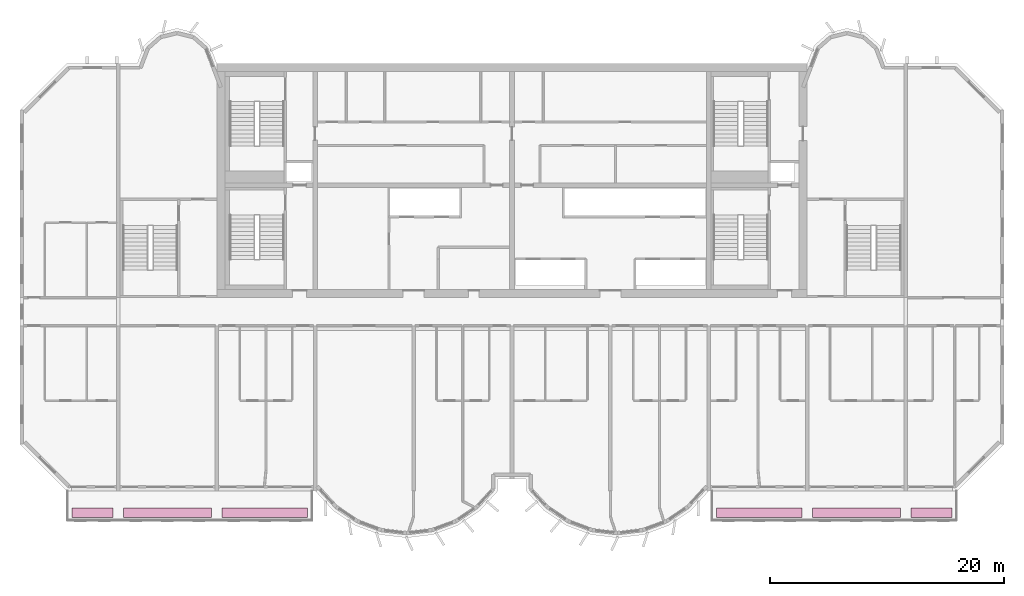
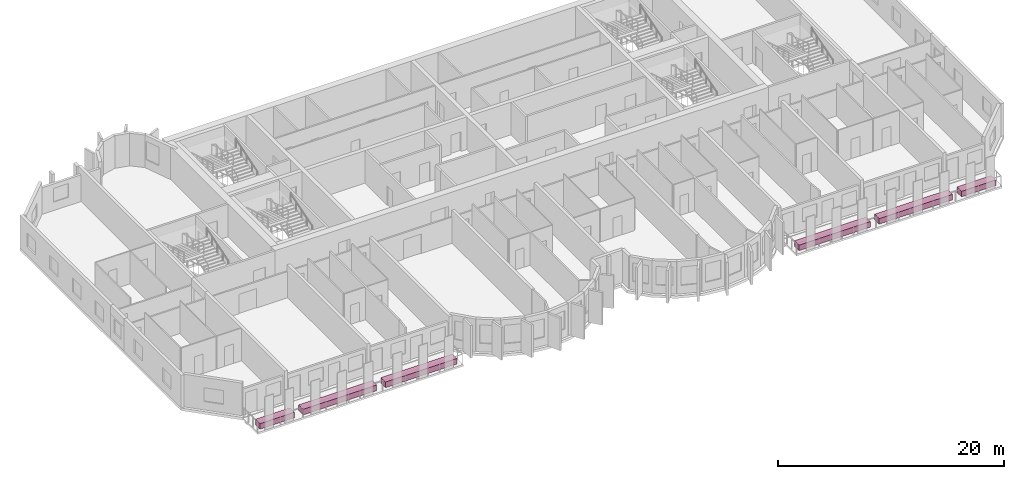
# One storey, part 13 of 13: 6 furniture elements.
"""IFC4 building model written with IfcOpenShell, lengths in metres."""

from ifc_helpers import new_model, si_unit, direction, frame, origin, origin_2d, place, context, subcontext, project, spatial, rectangle, extrude, source, transform, mapped, material, type_object, element, save


model = new_model("IFC4")

# Units and contexts
model_context = context("Model", 3, precision=1e-05, world=origin(), true_north=direction((0.0, 1.0)))
body_context = subcontext(model_context, "Body", "Model", "MODEL_VIEW")
ifc_project = project(units=[si_unit("LENGTHUNIT", "METRE"), si_unit("AREAUNIT", "SQUARE_METRE"), si_unit("VOLUMEUNIT", "CUBIC_METRE"), si_unit("PLANEANGLEUNIT", "RADIAN"), si_unit("MASSUNIT", "GRAM", prefix="KILO")], contexts=[model_context])

# Site, building, storey
site_placement = place(None, origin())
site = spatial("IfcSite", under=ifc_project, at=site_placement, CompositionType="ELEMENT")
building_placement = place(site_placement, origin())
building = spatial("IfcBuilding", under=site, at=building_placement, Name="Vanashikhar Sky Hotel", CompositionType="ELEMENT")
storey_placement = place(building_placement, frame((0.0, 0.0, 151.60009765625)))
storey = spatial("IfcBuildingStorey", under=building, at=storey_placement, Name="L36", CompositionType="ELEMENT", Elevation=151.60009765625)

# Furniture
ifc_material = material(Name="Planting soil and shrubs")
furniture_type = type_object("IfcFurnitureType", Name="Planter trough", AssemblyPlace="NOTDEFINED", PredefinedType="USERDEFINED", material=ifc_material)
shared_shape_1 = source(origin(), body_context, "Body", "SweptSolid", [
    extrude(rectangle(XDim=3.5, YDim=0.800048828125, at=origin_2d()), origin(), (0.0, 0.0, 1.0), 0.60009765625),
])
for number, where, z_axis, x_axis, name in (
    (1, (14.60009765625, 3.64990234375, -0.050048828125), (0.0, 0.0, 1.0), (1.0, 0.0, 0.0), "PLANTER with climbers"),
    (2, (86.199951171875, 3.64990234375, -0.050048828125), (0.0, 0.0, 1.0), (1.0, 0.0, 0.0), "PLANTER with climbers"),
):
    element("IfcFurniture", number, at=place(storey_placement, frame(where, z_axis=z_axis, x_axis=x_axis)), inside=storey, type_object=furniture_type, Name=name, ObjectType="PLANTER", PredefinedType="USERDEFINED", context=body_context, shape_type="MappedRepresentation", body=[
        mapped(shared_shape_1, transform((0.0, 0.0, 0.0), scale=1.0)),
    ])
shared_shape_2 = source(origin(), body_context, "Body", "SweptSolid", [
    extrude(rectangle(XDim=7.5, YDim=0.800048828125, at=origin_2d()), origin(), (0.0, 0.0, 1.0), 0.60009765625),
])
for number, where, z_axis, x_axis, name in (
    (3, (21.0, 3.64990234375, -0.050048828125), (0.0, 0.0, 1.0), (1.0, 0.0, 0.0), "PLANTER with climbers"),
    (4, (79.800048828125, 3.64990234375, -0.050048828125), (0.0, 0.0, 1.0), (1.0, 0.0, 0.0), "PLANTER with climbers"),
):
    element("IfcFurniture", number, at=place(storey_placement, frame(where, z_axis=z_axis, x_axis=x_axis)), inside=storey, type_object=furniture_type, Name=name, ObjectType="PLANTER", PredefinedType="USERDEFINED", context=body_context, shape_type="MappedRepresentation", body=[
        mapped(shared_shape_2, transform((0.0, 0.0, 0.0), scale=1.0)),
    ])
shared_shape_3 = source(origin(), body_context, "Body", "SweptSolid", [
    extrude(rectangle(XDim=7.300048828125, YDim=0.800048828125, at=origin_2d()), origin(), (0.0, 0.0, 1.0), 0.60009765625),
])
for number, where, z_axis, x_axis, name in (
    (5, (29.300048828125, 3.64990234375, -0.050048828125), (0.0, 0.0, 1.0), (1.0, 0.0, 0.0), "PLANTER with climbers"),
    (6, (71.5, 3.64990234375, -0.050048828125), (0.0, 0.0, 1.0), (1.0, 0.0, 0.0), "PLANTER with climbers"),
):
    element("IfcFurniture", number, at=place(storey_placement, frame(where, z_axis=z_axis, x_axis=x_axis)), inside=storey, type_object=furniture_type, Name=name, ObjectType="PLANTER", PredefinedType="USERDEFINED", context=body_context, shape_type="MappedRepresentation", body=[
        mapped(shared_shape_3, transform((0.0, 0.0, 0.0), scale=1.0)),
    ])

save(model, "model.ifc")
